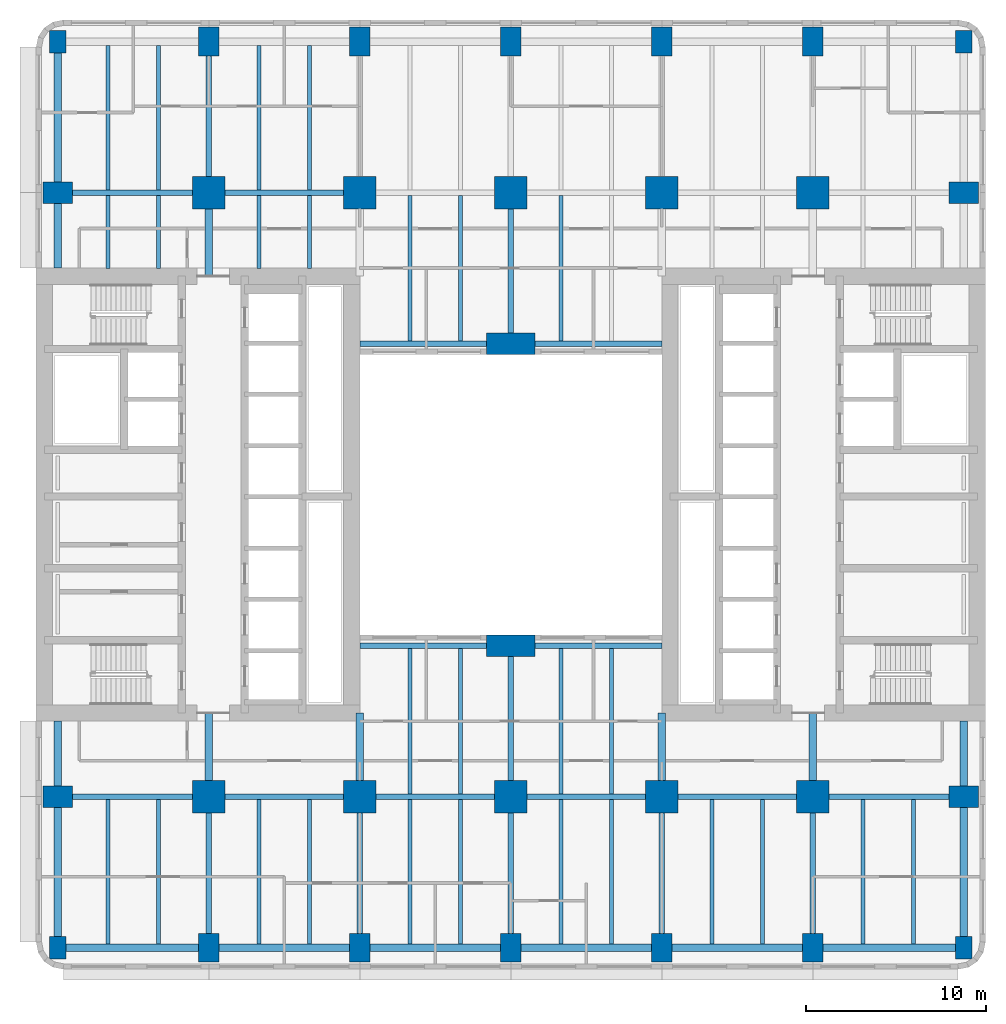
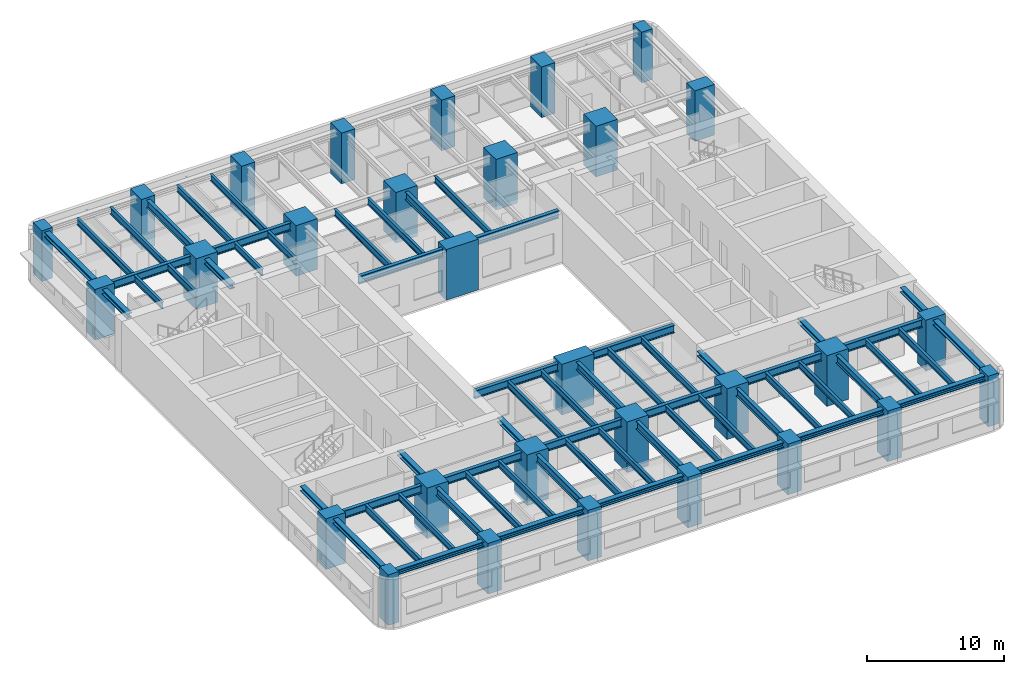
# One storey, part 1 of 13: 64 beams, 30 columns.
"""IFC4 building model written with IfcOpenShell, lengths in metres."""

from ifc_helpers import new_model, si_unit, direction, frame, origin, origin_2d, place, context, subcontext, project, spatial, rectangle, i_section, extrude, material, material_profile, profile_set, type_object, element, save


model = new_model("IFC4")

# Units and contexts
model_context = context("Model", 3, precision=1e-05, world=origin(), true_north=direction((0.0, 1.0)))
body_context = subcontext(model_context, "Body", "Model", "MODEL_VIEW")
ifc_project = project(units=[si_unit("LENGTHUNIT", "METRE"), si_unit("AREAUNIT", "SQUARE_METRE"), si_unit("VOLUMEUNIT", "CUBIC_METRE"), si_unit("PLANEANGLEUNIT", "RADIAN"), si_unit("MASSUNIT", "GRAM", prefix="KILO")], contexts=[model_context])

# Site, building, storey
site_placement = place(None, origin())
site = spatial("IfcSite", under=ifc_project, at=site_placement, CompositionType="ELEMENT")
building_placement = place(site_placement, origin())
building = spatial("IfcBuilding", under=site, at=building_placement, Name="Claustro Exchange Tower", CompositionType="ELEMENT")
storey_placement = place(building_placement, frame((0.0, 0.0, 86.39990234375)))
storey = spatial("IfcBuildingStorey", under=building, at=storey_placement, Name="L19", CompositionType="ELEMENT", Elevation=86.39990234375)

# Columns
ifc_material_1 = material(Name="Concrete HA-70 (C70/85)", Category="concrete")
ifc_material_profile_1 = material_profile(ifc_material_1, rectangle(XDim=1.800048828125, YDim=1.800048828125, at=origin_2d()), Name="RC 1800x1800")
ifc_profile_set_1 = profile_set([ifc_material_profile_1], Name="Concrete HA-70 (C70/85)")
column_type_1 = type_object("IfcColumnType", Name="C14 RC 1800x1800 HA-70 column", PredefinedType="COLUMN", material=ifc_profile_set_1)
for number, where, z_axis, x_axis, name in (
    (1, (8.39990234375, 8.39990234375, 0.0), (0.0, 0.0, 1.0), (1.0, 0.0, 0.0), "Column C14 2/B L19"),
    (2, (8.39990234375, 42.0, 0.0), (0.0, 0.0, 1.0), (1.0, 0.0, 0.0), "Column C14 2/F L19"),
    (3, (16.800048828125, 8.39990234375, 0.0), (0.0, 0.0, 1.0), (1.0, 0.0, 0.0), "Column C14 3/B L19"),
    (4, (16.800048828125, 42.0, 0.0), (0.0, 0.0, 1.0), (1.0, 0.0, 0.0), "Column C14 3/F L19"),
    (5, (25.199951171875, 8.39990234375, 0.0), (0.0, 0.0, 1.0), (1.0, 0.0, 0.0), "Column C14 4/B L19"),
    (6, (25.199951171875, 42.0, 0.0), (0.0, 0.0, 1.0), (1.0, 0.0, 0.0), "Column C14 4/F L19"),
    (7, (33.60009765625, 8.39990234375, 0.0), (0.0, 0.0, 1.0), (1.0, 0.0, 0.0), "Column C14 5/B L19"),
    (8, (33.60009765625, 42.0, 0.0), (0.0, 0.0, 1.0), (1.0, 0.0, 0.0), "Column C14 5/F L19"),
    (9, (42.0, 8.39990234375, 0.0), (0.0, 0.0, 1.0), (1.0, 0.0, 0.0), "Column C14 6/B L19"),
    (10, (42.0, 42.0, 0.0), (0.0, 0.0, 1.0), (1.0, 0.0, 0.0), "Column C14 6/F L19"),
):
    element("IfcColumn", number, at=place(storey_placement, frame(where, z_axis=z_axis, x_axis=x_axis)), inside=storey, type_object=column_type_1, Name=name, PredefinedType="COLUMN", context=body_context, shape_type="SweptSolid", body=[
        extrude(rectangle(XDim=1.800048828125, YDim=1.800048828125, at=origin_2d()), origin(), (0.0, 0.0, 1.0), 4.5),
    ])
ifc_material_2 = material(Name="Concrete HA-70 (C70/85)", Category="concrete")
ifc_material_profile_2 = material_profile(ifc_material_2, rectangle(XDim=1.199951171875, YDim=1.64990234375, at=origin_2d()), Name="RC 1200x1650")
ifc_profile_set_2 = profile_set([ifc_material_profile_2], Name="Concrete HA-70 (C70/85)")
column_type_2 = type_object("IfcColumnType", Name="C19 RC 1200x1650 HA-70 perimeter column", PredefinedType="COLUMN", material=ifc_profile_set_2)
for number, where, z_axis, x_axis, name in (
    (11, (0.0, 8.39990234375, 0.0), (0.0, 0.0, 1.0), (0.0, 1.0, 0.0), "Column C19 1/B L19"),
    (12, (0.0, 42.0, 0.0), (0.0, 0.0, 1.0), (0.0, 1.0, 0.0), "Column C19 1/F L19"),
    (13, (50.39990234375, 8.39990234375, 0.0), (0.0, 0.0, 1.0), (0.0, 1.0, 0.0), "Column C19 7/B L19"),
    (14, (50.39990234375, 42.0, 0.0), (0.0, 0.0, 1.0), (0.0, 1.0, 0.0), "Column C19 7/F L19"),
):
    element("IfcColumn", number, at=place(storey_placement, frame(where, z_axis=z_axis, x_axis=x_axis)), inside=storey, type_object=column_type_2, Name=name, PredefinedType="COLUMN", context=body_context, shape_type="SweptSolid", body=[
        extrude(rectangle(XDim=1.199951171875, YDim=1.64990234375, at=origin_2d()), origin(), (0.0, 0.0, 1.0), 4.5),
    ])
ifc_material_3 = material(Name="Concrete HA-70 (C70/85)", Category="concrete")
ifc_material_profile_3 = material_profile(ifc_material_3, rectangle(XDim=1.14990234375, YDim=1.60009765625, at=origin_2d()), Name="RC 1150x1600")
ifc_profile_set_3 = profile_set([ifc_material_profile_3], Name="Concrete HA-70 (C70/85)")
column_type_3 = type_object("IfcColumnType", Name="C20 RC 1150x1600 HA-70 perimeter column", PredefinedType="COLUMN", material=ifc_profile_set_3)
for number, where, z_axis, x_axis, name in (
    (15, (8.39990234375, 0.0, 0.0), (0.0, 0.0, 1.0), (1.0, 0.0, 0.0), "Column C20 2/A L19"),
    (16, (8.39990234375, 50.39990234375, 0.0), (0.0, 0.0, 1.0), (1.0, 0.0, 0.0), "Column C20 2/G L19"),
    (17, (16.800048828125, 0.0, 0.0), (0.0, 0.0, 1.0), (1.0, 0.0, 0.0), "Column C20 3/A L19"),
    (18, (16.800048828125, 50.39990234375, 0.0), (0.0, 0.0, 1.0), (1.0, 0.0, 0.0), "Column C20 3/G L19"),
    (19, (25.199951171875, 0.0, 0.0), (0.0, 0.0, 1.0), (1.0, 0.0, 0.0), "Column C20 4/A L19"),
    (20, (25.199951171875, 50.39990234375, 0.0), (0.0, 0.0, 1.0), (1.0, 0.0, 0.0), "Column C20 4/G L19"),
    (21, (33.60009765625, 0.0, 0.0), (0.0, 0.0, 1.0), (1.0, 0.0, 0.0), "Column C20 5/A L19"),
    (22, (33.60009765625, 50.39990234375, 0.0), (0.0, 0.0, 1.0), (1.0, 0.0, 0.0), "Column C20 5/G L19"),
    (23, (42.0, 0.0, 0.0), (0.0, 0.0, 1.0), (1.0, 0.0, 0.0), "Column C20 6/A L19"),
    (24, (42.0, 50.39990234375, 0.0), (0.0, 0.0, 1.0), (1.0, 0.0, 0.0), "Column C20 6/G L19"),
):
    element("IfcColumn", number, at=place(storey_placement, frame(where, z_axis=z_axis, x_axis=x_axis)), inside=storey, type_object=column_type_3, Name=name, PredefinedType="COLUMN", context=body_context, shape_type="SweptSolid", body=[
        extrude(rectangle(XDim=1.14990234375, YDim=1.60009765625, at=origin_2d()), origin(), (0.0, 0.0, 1.0), 4.5),
    ])
ifc_material_4 = material(Name="Concrete HA-70 (C70/85)", Category="concrete")
ifc_material_profile_4 = material_profile(ifc_material_4, rectangle(XDim=2.699951171875, YDim=1.199951171875, at=origin_2d()), Name="RC 2700x1200")
ifc_profile_set_4 = profile_set([ifc_material_profile_4], Name="Concrete HA-70 (C70/85)")
column_type_4 = type_object("IfcColumnType", Name="C30 RC 2700x1200 HA-70 light well column", PredefinedType="COLUMN", material=ifc_profile_set_4)
for number, where, z_axis, x_axis, name in (
    (25, (25.199951171875, 16.800048828125, 0.0), (0.0, 0.0, 1.0), (1.0, 0.0, 0.0), "Column C30 4/C L19"),
    (26, (25.199951171875, 33.60009765625, 0.0), (0.0, 0.0, 1.0), (1.0, 0.0, 0.0), "Column C30 4/E L19"),
):
    element("IfcColumn", number, at=place(storey_placement, frame(where, z_axis=z_axis, x_axis=x_axis)), inside=storey, type_object=column_type_4, Name=name, PredefinedType="COLUMN", context=body_context, shape_type="SweptSolid", body=[
        extrude(rectangle(XDim=2.699951171875, YDim=1.199951171875, at=origin_2d()), origin(), (0.0, 0.0, 1.0), 4.5),
    ])
ifc_material_5 = material(Name="Concrete HA-70 (C70/85)", Category="concrete")
ifc_material_profile_5 = material_profile(ifc_material_5, rectangle(XDim=0.89990234375, YDim=1.25, at=origin_2d()), Name="RC 900x1250")
ifc_profile_set_5 = profile_set([ifc_material_profile_5], Name="Concrete HA-70 (C70/85)")
column_type_5 = type_object("IfcColumnType", Name="C35 RC 900x1250 HA-70 corner column", PredefinedType="COLUMN", material=ifc_profile_set_5)
for number, where, z_axis, x_axis, name in (
    (27, (0.0, 0.0, 0.0), (0.0, 0.0, 1.0), (1.0, 0.0, 0.0), "Column C35 1/A L19"),
    (28, (0.0, 50.39990234375, 0.0), (0.0, 0.0, 1.0), (1.0, 0.0, 0.0), "Column C35 1/G L19"),
    (29, (50.39990234375, 0.0, 0.0), (0.0, 0.0, 1.0), (1.0, 0.0, 0.0), "Column C35 7/A L19"),
    (30, (50.39990234375, 50.39990234375, 0.0), (0.0, 0.0, 1.0), (1.0, 0.0, 0.0), "Column C35 7/G L19"),
):
    element("IfcColumn", number, at=place(storey_placement, frame(where, z_axis=z_axis, x_axis=x_axis)), inside=storey, type_object=column_type_5, Name=name, PredefinedType="COLUMN", context=body_context, shape_type="SweptSolid", body=[
        extrude(rectangle(XDim=0.89990234375, YDim=1.25, at=origin_2d()), origin(), (0.0, 0.0, 1.0), 4.5),
    ])

# Beams
ifc_material_6 = material(Name="Steel S355", Category="steel")
ifc_material_profile_6 = material_profile(ifc_material_6, i_section(OverallWidth=0.300048828125, OverallDepth=0.68994140625, WebThickness=0.014404296875, FlangeThickness=0.027099609375, FilletRadius=0.027099609375, at=origin_2d()), Name="HE 700 A")
ifc_profile_set_6 = profile_set([ifc_material_profile_6], Name="Steel S355")
beam_type_1 = type_object("IfcBeamType", Name="B13 HE 700 A light well edge girder", PredefinedType="BEAM", material=ifc_profile_set_6)
beam_1_placement = place(storey_placement, frame((16.800048828125, 16.800048828125, 3.955078125), z_axis=(1.0, 0.0, 0.0), x_axis=(0.0, 1.0, 0.0)))
element("IfcBeam", 31, at=beam_1_placement, inside=storey, type_object=beam_type_1, Name="Beam B13 L20", PredefinedType="BEAM", context=body_context, shape_type="SweptSolid", body=[
    extrude(i_section(OverallWidth=0.300048828125, OverallDepth=0.68994140625, WebThickness=0.014404296875, FlangeThickness=0.027099609375, FilletRadius=0.027099609375, at=origin_2d()), origin(), (0.0, 0.0, 1.0), 8.39990234375),
])
beam_2_placement = place(storey_placement, frame((25.199951171875, 16.800048828125, 3.955078125), z_axis=(1.0, 0.0, 0.0), x_axis=(0.0, 1.0, 0.0)))
element("IfcBeam", 32, at=beam_2_placement, inside=storey, type_object=beam_type_1, Name="Beam B13 L20", PredefinedType="BEAM", context=body_context, shape_type="SweptSolid", body=[
    extrude(i_section(OverallWidth=0.300048828125, OverallDepth=0.68994140625, WebThickness=0.014404296875, FlangeThickness=0.027099609375, FilletRadius=0.027099609375, at=origin_2d()), origin(), (0.0, 0.0, 1.0), 8.400146484375),
])
beam_3_placement = place(storey_placement, frame((16.800048828125, 33.60009765625, 3.955078125), z_axis=(1.0, 0.0, 0.0), x_axis=(0.0, 1.0, 0.0)))
element("IfcBeam", 33, at=beam_3_placement, inside=storey, type_object=beam_type_1, Name="Beam B13 L20", PredefinedType="BEAM", context=body_context, shape_type="SweptSolid", body=[
    extrude(i_section(OverallWidth=0.300048828125, OverallDepth=0.68994140625, WebThickness=0.014404296875, FlangeThickness=0.027099609375, FilletRadius=0.027099609375, at=origin_2d()), origin(), (0.0, 0.0, 1.0), 8.39990234375),
])
beam_4_placement = place(storey_placement, frame((25.199951171875, 33.60009765625, 3.955078125), z_axis=(1.0, 0.0, 0.0), x_axis=(0.0, 1.0, 0.0)))
element("IfcBeam", 34, at=beam_4_placement, inside=storey, type_object=beam_type_1, Name="Beam B13 L20", PredefinedType="BEAM", context=body_context, shape_type="SweptSolid", body=[
    extrude(i_section(OverallWidth=0.300048828125, OverallDepth=0.68994140625, WebThickness=0.014404296875, FlangeThickness=0.027099609375, FilletRadius=0.027099609375, at=origin_2d()), origin(), (0.0, 0.0, 1.0), 8.400146484375),
])
ifc_material_7 = material(Name="Steel S355", Category="steel")
ifc_material_profile_7 = material_profile(ifc_material_7, i_section(OverallWidth=0.300048828125, OverallDepth=0.699951171875, WebThickness=0.01708984375, FlangeThickness=0.031982421875, FilletRadius=0.027099609375, at=origin_2d()), Name="HE 700 B")
ifc_profile_set_7 = profile_set([ifc_material_profile_7], Name="Steel S355")
beam_type_2 = type_object("IfcBeamType", Name="B4 HE 700 B floor girder", PredefinedType="BEAM", material=ifc_profile_set_7)
for number, where, z_axis, x_axis, name in (
    (35, (8.39990234375, 0.0, 3.9501953125), (0.0, 1.0, 0.0), (-1.0, 0.0, 0.0), "Beam B4 L20"),
    (36, (8.39990234375, 42.0, 3.9501953125), (0.0, 1.0, 0.0), (-1.0, 0.0, 0.0), "Beam B4 L20"),
    (37, (16.800048828125, 0.0, 3.9501953125), (0.0, 1.0, 0.0), (-1.0, 0.0, 0.0), "Beam B4 L20"),
    (38, (25.199951171875, 0.0, 3.9501953125), (0.0, 1.0, 0.0), (-1.0, 0.0, 0.0), "Beam B4 L20"),
):
    element("IfcBeam", number, at=place(storey_placement, frame(where, z_axis=z_axis, x_axis=x_axis)), inside=storey, type_object=beam_type_2, Name=name, PredefinedType="BEAM", context=body_context, shape_type="SweptSolid", body=[
        extrude(i_section(OverallWidth=0.300048828125, OverallDepth=0.699951171875, WebThickness=0.01708984375, FlangeThickness=0.031982421875, FilletRadius=0.027099609375, at=origin_2d()), origin(), (0.0, 0.0, 1.0), 8.39990234375),
    ])
beam_5_placement = place(storey_placement, frame((25.199951171875, 8.39990234375, 3.9501953125), z_axis=(0.0, 1.0, 0.0), x_axis=(-1.0, 0.0, 0.0)))
element("IfcBeam", 39, at=beam_5_placement, inside=storey, type_object=beam_type_2, Name="Beam B4 L20", PredefinedType="BEAM", context=body_context, shape_type="SweptSolid", body=[
    extrude(i_section(OverallWidth=0.300048828125, OverallDepth=0.699951171875, WebThickness=0.01708984375, FlangeThickness=0.031982421875, FilletRadius=0.027099609375, at=origin_2d()), origin(), (0.0, 0.0, 1.0), 8.400146484375),
])
for number, where, z_axis, x_axis, name in (
    (40, (25.199951171875, 33.60009765625, 3.9501953125), (0.0, 1.0, 0.0), (-1.0, 0.0, 0.0), "Beam B4 L20"),
    (41, (33.60009765625, 0.0, 3.9501953125), (0.0, 1.0, 0.0), (-1.0, 0.0, 0.0), "Beam B4 L20"),
    (42, (42.0, 0.0, 3.9501953125), (0.0, 1.0, 0.0), (-1.0, 0.0, 0.0), "Beam B4 L20"),
    (43, (0.0, 8.39990234375, 3.9501953125), (1.0, 0.0, 0.0), (0.0, 1.0, 0.0), "Beam B4 L20"),
):
    element("IfcBeam", number, at=place(storey_placement, frame(where, z_axis=z_axis, x_axis=x_axis)), inside=storey, type_object=beam_type_2, Name=name, PredefinedType="BEAM", context=body_context, shape_type="SweptSolid", body=[
        extrude(i_section(OverallWidth=0.300048828125, OverallDepth=0.699951171875, WebThickness=0.01708984375, FlangeThickness=0.031982421875, FilletRadius=0.027099609375, at=origin_2d()), origin(), (0.0, 0.0, 1.0), 8.39990234375),
    ])
beam_6_placement = place(storey_placement, frame((8.39990234375, 8.39990234375, 3.9501953125), z_axis=(1.0, 0.0, 0.0), x_axis=(0.0, 1.0, 0.0)))
element("IfcBeam", 44, at=beam_6_placement, inside=storey, type_object=beam_type_2, Name="Beam B4 L20", PredefinedType="BEAM", context=body_context, shape_type="SweptSolid", body=[
    extrude(i_section(OverallWidth=0.300048828125, OverallDepth=0.699951171875, WebThickness=0.01708984375, FlangeThickness=0.031982421875, FilletRadius=0.027099609375, at=origin_2d()), origin(), (0.0, 0.0, 1.0), 8.400146484375),
])
beam_7_placement = place(storey_placement, frame((16.800048828125, 8.39990234375, 3.9501953125), z_axis=(1.0, 0.0, 0.0), x_axis=(0.0, 1.0, 0.0)))
element("IfcBeam", 45, at=beam_7_placement, inside=storey, type_object=beam_type_2, Name="Beam B4 L20", PredefinedType="BEAM", context=body_context, shape_type="SweptSolid", body=[
    extrude(i_section(OverallWidth=0.300048828125, OverallDepth=0.699951171875, WebThickness=0.01708984375, FlangeThickness=0.031982421875, FilletRadius=0.027099609375, at=origin_2d()), origin(), (0.0, 0.0, 1.0), 8.39990234375),
])
beam_8_placement = place(storey_placement, frame((25.199951171875, 8.39990234375, 3.9501953125), z_axis=(1.0, 0.0, 0.0), x_axis=(0.0, 1.0, 0.0)))
element("IfcBeam", 46, at=beam_8_placement, inside=storey, type_object=beam_type_2, Name="Beam B4 L20", PredefinedType="BEAM", context=body_context, shape_type="SweptSolid", body=[
    extrude(i_section(OverallWidth=0.300048828125, OverallDepth=0.699951171875, WebThickness=0.01708984375, FlangeThickness=0.031982421875, FilletRadius=0.027099609375, at=origin_2d()), origin(), (0.0, 0.0, 1.0), 8.400146484375),
])
for number, where, z_axis, x_axis, name in (
    (47, (33.60009765625, 8.39990234375, 3.9501953125), (1.0, 0.0, 0.0), (0.0, 1.0, 0.0), "Beam B4 L20"),
    (48, (42.0, 8.39990234375, 3.9501953125), (1.0, 0.0, 0.0), (0.0, 1.0, 0.0), "Beam B4 L20"),
    (49, (0.0, 42.0, 3.9501953125), (1.0, 0.0, 0.0), (0.0, 1.0, 0.0), "Beam B4 L20"),
):
    element("IfcBeam", number, at=place(storey_placement, frame(where, z_axis=z_axis, x_axis=x_axis)), inside=storey, type_object=beam_type_2, Name=name, PredefinedType="BEAM", context=body_context, shape_type="SweptSolid", body=[
        extrude(i_section(OverallWidth=0.300048828125, OverallDepth=0.699951171875, WebThickness=0.01708984375, FlangeThickness=0.031982421875, FilletRadius=0.027099609375, at=origin_2d()), origin(), (0.0, 0.0, 1.0), 8.39990234375),
    ])
beam_9_placement = place(storey_placement, frame((8.39990234375, 42.0, 3.9501953125), z_axis=(1.0, 0.0, 0.0), x_axis=(0.0, 1.0, 0.0)))
element("IfcBeam", 50, at=beam_9_placement, inside=storey, type_object=beam_type_2, Name="Beam B4 L20", PredefinedType="BEAM", context=body_context, shape_type="SweptSolid", body=[
    extrude(i_section(OverallWidth=0.300048828125, OverallDepth=0.699951171875, WebThickness=0.01708984375, FlangeThickness=0.031982421875, FilletRadius=0.027099609375, at=origin_2d()), origin(), (0.0, 0.0, 1.0), 8.400146484375),
])
ifc_material_8 = material(Name="Steel S355", Category="steel")
ifc_material_profile_8 = material_profile(ifc_material_8, i_section(OverallWidth=0.219970703125, OverallDepth=0.60009765625, WebThickness=0.011962890625, FlangeThickness=0.01904296875, FilletRadius=0.02392578125, at=origin_2d()), Name="IPE 600")
ifc_profile_set_8 = profile_set([ifc_material_profile_8], Name="Steel S355")
beam_type_3 = type_object("IfcBeamType", Name="B5 IPE 600 secondary beam", PredefinedType="BEAM", material=ifc_profile_set_8)
for number, where, z_axis, x_axis, name in (
    (51, (2.800048828125, 0.2080078125, 4.0), (0.0, 1.0, 0.0), (-1.0, 0.0, 0.0), "Beam B5 L20"),
    (52, (5.60009765625, 0.2080078125, 4.0), (0.0, 1.0, 0.0), (-1.0, 0.0, 0.0), "Beam B5 L20"),
):
    element("IfcBeam", number, at=place(storey_placement, frame(where, z_axis=z_axis, x_axis=x_axis)), inside=storey, type_object=beam_type_3, Name=name, PredefinedType="BEAM", context=body_context, shape_type="SweptSolid", body=[
        extrude(i_section(OverallWidth=0.219970703125, OverallDepth=0.60009765625, WebThickness=0.011962890625, FlangeThickness=0.01904296875, FilletRadius=0.02392578125, at=origin_2d()), origin(), (0.0, 0.0, 1.0), 8.0419921875),
    ])
for number, where, z_axis, x_axis, name in (
    (53, (2.800048828125, 37.7900390625, 4.0), (0.0, 1.0, 0.0), (-1.0, 0.0, 0.0), "Beam B5 L20"),
    (54, (5.60009765625, 37.7900390625, 4.0), (0.0, 1.0, 0.0), (-1.0, 0.0, 0.0), "Beam B5 L20"),
):
    element("IfcBeam", number, at=place(storey_placement, frame(where, z_axis=z_axis, x_axis=x_axis)), inside=storey, type_object=beam_type_3, Name=name, PredefinedType="BEAM", context=body_context, shape_type="SweptSolid", body=[
        extrude(i_section(OverallWidth=0.219970703125, OverallDepth=0.60009765625, WebThickness=0.011962890625, FlangeThickness=0.01904296875, FilletRadius=0.02392578125, at=origin_2d()), origin(), (0.0, 0.0, 1.0), 4.06005859375),
    ])
for number, where, z_axis, x_axis, name in (
    (55, (2.800048828125, 42.14990234375, 4.0), (0.0, 1.0, 0.0), (-1.0, 0.0, 0.0), "Beam B5 L20"),
    (56, (5.60009765625, 42.14990234375, 4.0), (0.0, 1.0, 0.0), (-1.0, 0.0, 0.0), "Beam B5 L20"),
    (57, (11.199951171875, 0.2080078125, 4.0), (0.0, 1.0, 0.0), (-1.0, 0.0, 0.0), "Beam B5 L20"),
    (58, (14.0, 0.2080078125, 4.0), (0.0, 1.0, 0.0), (-1.0, 0.0, 0.0), "Beam B5 L20"),
):
    element("IfcBeam", number, at=place(storey_placement, frame(where, z_axis=z_axis, x_axis=x_axis)), inside=storey, type_object=beam_type_3, Name=name, PredefinedType="BEAM", context=body_context, shape_type="SweptSolid", body=[
        extrude(i_section(OverallWidth=0.219970703125, OverallDepth=0.60009765625, WebThickness=0.011962890625, FlangeThickness=0.01904296875, FilletRadius=0.02392578125, at=origin_2d()), origin(), (0.0, 0.0, 1.0), 8.0419921875),
    ])
for number, where, z_axis, x_axis, name in (
    (59, (11.199951171875, 37.7900390625, 4.0), (0.0, 1.0, 0.0), (-1.0, 0.0, 0.0), "Beam B5 L20"),
    (60, (14.0, 37.7900390625, 4.0), (0.0, 1.0, 0.0), (-1.0, 0.0, 0.0), "Beam B5 L20"),
):
    element("IfcBeam", number, at=place(storey_placement, frame(where, z_axis=z_axis, x_axis=x_axis)), inside=storey, type_object=beam_type_3, Name=name, PredefinedType="BEAM", context=body_context, shape_type="SweptSolid", body=[
        extrude(i_section(OverallWidth=0.219970703125, OverallDepth=0.60009765625, WebThickness=0.011962890625, FlangeThickness=0.01904296875, FilletRadius=0.02392578125, at=origin_2d()), origin(), (0.0, 0.0, 1.0), 4.06005859375),
    ])
for number, where, z_axis, x_axis, name in (
    (61, (11.199951171875, 42.14990234375, 4.0), (0.0, 1.0, 0.0), (-1.0, 0.0, 0.0), "Beam B5 L20"),
    (62, (14.0, 42.14990234375, 4.0), (0.0, 1.0, 0.0), (-1.0, 0.0, 0.0), "Beam B5 L20"),
    (63, (19.60009765625, 0.2080078125, 4.0), (0.0, 1.0, 0.0), (-1.0, 0.0, 0.0), "Beam B5 L20"),
    (64, (22.39990234375, 0.2080078125, 4.0), (0.0, 1.0, 0.0), (-1.0, 0.0, 0.0), "Beam B5 L20"),
):
    element("IfcBeam", number, at=place(storey_placement, frame(where, z_axis=z_axis, x_axis=x_axis)), inside=storey, type_object=beam_type_3, Name=name, PredefinedType="BEAM", context=body_context, shape_type="SweptSolid", body=[
        extrude(i_section(OverallWidth=0.219970703125, OverallDepth=0.60009765625, WebThickness=0.011962890625, FlangeThickness=0.01904296875, FilletRadius=0.02392578125, at=origin_2d()), origin(), (0.0, 0.0, 1.0), 8.0419921875),
    ])
for number, where, z_axis, x_axis, name in (
    (65, (19.60009765625, 8.550048828125, 4.0), (0.0, 1.0, 0.0), (-1.0, 0.0, 0.0), "Beam B5 L20"),
    (66, (22.39990234375, 8.550048828125, 4.0), (0.0, 1.0, 0.0), (-1.0, 0.0, 0.0), "Beam B5 L20"),
):
    element("IfcBeam", number, at=place(storey_placement, frame(where, z_axis=z_axis, x_axis=x_axis)), inside=storey, type_object=beam_type_3, Name=name, PredefinedType="BEAM", context=body_context, shape_type="SweptSolid", body=[
        extrude(i_section(OverallWidth=0.219970703125, OverallDepth=0.60009765625, WebThickness=0.011962890625, FlangeThickness=0.01904296875, FilletRadius=0.02392578125, at=origin_2d()), origin(), (0.0, 0.0, 1.0), 8.099853515625),
    ])
for number, where, z_axis, x_axis, name in (
    (67, (19.60009765625, 33.75, 4.0), (0.0, 1.0, 0.0), (-1.0, 0.0, 0.0), "Beam B5 L20"),
    (68, (22.39990234375, 33.75, 4.0), (0.0, 1.0, 0.0), (-1.0, 0.0, 0.0), "Beam B5 L20"),
):
    element("IfcBeam", number, at=place(storey_placement, frame(where, z_axis=z_axis, x_axis=x_axis)), inside=storey, type_object=beam_type_3, Name=name, PredefinedType="BEAM", context=body_context, shape_type="SweptSolid", body=[
        extrude(i_section(OverallWidth=0.219970703125, OverallDepth=0.60009765625, WebThickness=0.011962890625, FlangeThickness=0.01904296875, FilletRadius=0.02392578125, at=origin_2d()), origin(), (0.0, 0.0, 1.0), 8.10009765625),
    ])
for number, where, z_axis, x_axis, name in (
    (69, (28.0, 0.2080078125, 4.0), (0.0, 1.0, 0.0), (-1.0, 0.0, 0.0), "Beam B5 L20"),
    (70, (30.800048828125, 0.2080078125, 4.0), (0.0, 1.0, 0.0), (-1.0, 0.0, 0.0), "Beam B5 L20"),
):
    element("IfcBeam", number, at=place(storey_placement, frame(where, z_axis=z_axis, x_axis=x_axis)), inside=storey, type_object=beam_type_3, Name=name, PredefinedType="BEAM", context=body_context, shape_type="SweptSolid", body=[
        extrude(i_section(OverallWidth=0.219970703125, OverallDepth=0.60009765625, WebThickness=0.011962890625, FlangeThickness=0.01904296875, FilletRadius=0.02392578125, at=origin_2d()), origin(), (0.0, 0.0, 1.0), 8.0419921875),
    ])
for number, where, z_axis, x_axis, name in (
    (71, (28.0, 8.550048828125, 4.0), (0.0, 1.0, 0.0), (-1.0, 0.0, 0.0), "Beam B5 L20"),
    (72, (30.800048828125, 8.550048828125, 4.0), (0.0, 1.0, 0.0), (-1.0, 0.0, 0.0), "Beam B5 L20"),
):
    element("IfcBeam", number, at=place(storey_placement, frame(where, z_axis=z_axis, x_axis=x_axis)), inside=storey, type_object=beam_type_3, Name=name, PredefinedType="BEAM", context=body_context, shape_type="SweptSolid", body=[
        extrude(i_section(OverallWidth=0.219970703125, OverallDepth=0.60009765625, WebThickness=0.011962890625, FlangeThickness=0.01904296875, FilletRadius=0.02392578125, at=origin_2d()), origin(), (0.0, 0.0, 1.0), 8.099853515625),
    ])
beam_10_placement = place(storey_placement, frame((28.0, 33.75, 4.0), z_axis=(0.0, 1.0, 0.0), x_axis=(-1.0, 0.0, 0.0)))
element("IfcBeam", 73, at=beam_10_placement, inside=storey, type_object=beam_type_3, Name="Beam B5 L20", PredefinedType="BEAM", context=body_context, shape_type="SweptSolid", body=[
    extrude(i_section(OverallWidth=0.219970703125, OverallDepth=0.60009765625, WebThickness=0.011962890625, FlangeThickness=0.01904296875, FilletRadius=0.02392578125, at=origin_2d()), origin(), (0.0, 0.0, 1.0), 8.10009765625),
])
for number, where, z_axis, x_axis, name in (
    (74, (36.39990234375, 0.2080078125, 4.0), (0.0, 1.0, 0.0), (-1.0, 0.0, 0.0), "Beam B5 L20"),
    (75, (39.199951171875, 0.2080078125, 4.0), (0.0, 1.0, 0.0), (-1.0, 0.0, 0.0), "Beam B5 L20"),
    (76, (44.800048828125, 0.2080078125, 4.0), (0.0, 1.0, 0.0), (-1.0, 0.0, 0.0), "Beam B5 L20"),
    (77, (47.60009765625, 0.2080078125, 4.0), (0.0, 1.0, 0.0), (-1.0, 0.0, 0.0), "Beam B5 L20"),
):
    element("IfcBeam", number, at=place(storey_placement, frame(where, z_axis=z_axis, x_axis=x_axis)), inside=storey, type_object=beam_type_3, Name=name, PredefinedType="BEAM", context=body_context, shape_type="SweptSolid", body=[
        extrude(i_section(OverallWidth=0.219970703125, OverallDepth=0.60009765625, WebThickness=0.011962890625, FlangeThickness=0.01904296875, FilletRadius=0.02392578125, at=origin_2d()), origin(), (0.0, 0.0, 1.0), 8.0419921875),
    ])
ifc_material_9 = material(Name="Steel S460", Category="steel")
ifc_material_profile_9 = material_profile(ifc_material_9, i_section(OverallWidth=0.416015625, OverallDepth=0.446044921875, WebThickness=0.0390625, FlangeThickness=0.062744140625, FilletRadius=0.014892578125, at=origin_2d()), Name="HD 400x509")
ifc_profile_set_9 = profile_set([ifc_material_profile_9], Name="Steel S460")
beam_type_4 = type_object("IfcBeamType", Name="BT1 HD 400x509 belt truss chord", PredefinedType="BEAM", material=ifc_profile_set_9)
beam_11_placement = place(storey_placement, frame((0.0, 0.0, 4.0771484375), z_axis=(0.0, 1.0, 0.0), x_axis=(-1.0, 0.0, 0.0)))
element("IfcBeam", 78, at=beam_11_placement, inside=storey, type_object=beam_type_4, Name="Beam BT1 L20", PredefinedType="BEAM", context=body_context, shape_type="SweptSolid", body=[
    extrude(i_section(OverallWidth=0.416015625, OverallDepth=0.446044921875, WebThickness=0.0390625, FlangeThickness=0.062744140625, FilletRadius=0.014892578125, at=origin_2d()), origin(), (0.0, 0.0, 1.0), 8.39990234375),
])
beam_12_placement = place(storey_placement, frame((0.0, 8.39990234375, 4.0771484375), z_axis=(0.0, 1.0, 0.0), x_axis=(-1.0, 0.0, 0.0)))
element("IfcBeam", 79, at=beam_12_placement, inside=storey, type_object=beam_type_4, Name="Beam BT1 L20", PredefinedType="BEAM", context=body_context, shape_type="SweptSolid", body=[
    extrude(i_section(OverallWidth=0.416015625, OverallDepth=0.446044921875, WebThickness=0.0390625, FlangeThickness=0.062744140625, FilletRadius=0.014892578125, at=origin_2d()), origin(), (0.0, 0.0, 1.0), 4.2001953125),
])
beam_13_placement = place(storey_placement, frame((0.0, 37.800048828125, 4.0771484375), z_axis=(0.0, 1.0, 0.0), x_axis=(-1.0, 0.0, 0.0)))
element("IfcBeam", 80, at=beam_13_placement, inside=storey, type_object=beam_type_4, Name="Beam BT1 L20", PredefinedType="BEAM", context=body_context, shape_type="SweptSolid", body=[
    extrude(i_section(OverallWidth=0.416015625, OverallDepth=0.446044921875, WebThickness=0.0390625, FlangeThickness=0.062744140625, FilletRadius=0.014892578125, at=origin_2d()), origin(), (0.0, 0.0, 1.0), 4.199951171875),
])
for number, where, z_axis, x_axis, name in (
    (81, (0.0, 42.0, 4.0771484375), (0.0, 1.0, 0.0), (-1.0, 0.0, 0.0), "Beam BT1 L20"),
    (82, (50.39990234375, 0.0, 4.0771484375), (0.0, 1.0, 0.0), (-1.0, 0.0, 0.0), "Beam BT1 L20"),
):
    element("IfcBeam", number, at=place(storey_placement, frame(where, z_axis=z_axis, x_axis=x_axis)), inside=storey, type_object=beam_type_4, Name=name, PredefinedType="BEAM", context=body_context, shape_type="SweptSolid", body=[
        extrude(i_section(OverallWidth=0.416015625, OverallDepth=0.446044921875, WebThickness=0.0390625, FlangeThickness=0.062744140625, FilletRadius=0.014892578125, at=origin_2d()), origin(), (0.0, 0.0, 1.0), 8.39990234375),
    ])
beam_14_placement = place(storey_placement, frame((50.39990234375, 8.39990234375, 4.0771484375), z_axis=(0.0, 1.0, 0.0), x_axis=(-1.0, 0.0, 0.0)))
element("IfcBeam", 83, at=beam_14_placement, inside=storey, type_object=beam_type_4, Name="Beam BT1 L20", PredefinedType="BEAM", context=body_context, shape_type="SweptSolid", body=[
    extrude(i_section(OverallWidth=0.416015625, OverallDepth=0.446044921875, WebThickness=0.0390625, FlangeThickness=0.062744140625, FilletRadius=0.014892578125, at=origin_2d()), origin(), (0.0, 0.0, 1.0), 4.2001953125),
])
beam_15_placement = place(storey_placement, frame((0.0, 0.0, 4.0771484375), z_axis=(1.0, 0.0, 0.0), x_axis=(0.0, 1.0, 0.0)))
element("IfcBeam", 84, at=beam_15_placement, inside=storey, type_object=beam_type_4, Name="Beam BT1 L20", PredefinedType="BEAM", context=body_context, shape_type="SweptSolid", body=[
    extrude(i_section(OverallWidth=0.416015625, OverallDepth=0.446044921875, WebThickness=0.0390625, FlangeThickness=0.062744140625, FilletRadius=0.014892578125, at=origin_2d()), origin(), (0.0, 0.0, 1.0), 8.39990234375),
])
beam_16_placement = place(storey_placement, frame((8.39990234375, 0.0, 4.0771484375), z_axis=(1.0, 0.0, 0.0), x_axis=(0.0, 1.0, 0.0)))
element("IfcBeam", 85, at=beam_16_placement, inside=storey, type_object=beam_type_4, Name="Beam BT1 L20", PredefinedType="BEAM", context=body_context, shape_type="SweptSolid", body=[
    extrude(i_section(OverallWidth=0.416015625, OverallDepth=0.446044921875, WebThickness=0.0390625, FlangeThickness=0.062744140625, FilletRadius=0.014892578125, at=origin_2d()), origin(), (0.0, 0.0, 1.0), 8.400146484375),
])
beam_17_placement = place(storey_placement, frame((16.800048828125, 0.0, 4.0771484375), z_axis=(1.0, 0.0, 0.0), x_axis=(0.0, 1.0, 0.0)))
element("IfcBeam", 86, at=beam_17_placement, inside=storey, type_object=beam_type_4, Name="Beam BT1 L20", PredefinedType="BEAM", context=body_context, shape_type="SweptSolid", body=[
    extrude(i_section(OverallWidth=0.416015625, OverallDepth=0.446044921875, WebThickness=0.0390625, FlangeThickness=0.062744140625, FilletRadius=0.014892578125, at=origin_2d()), origin(), (0.0, 0.0, 1.0), 8.39990234375),
])
beam_18_placement = place(storey_placement, frame((25.199951171875, 0.0, 4.0771484375), z_axis=(1.0, 0.0, 0.0), x_axis=(0.0, 1.0, 0.0)))
element("IfcBeam", 87, at=beam_18_placement, inside=storey, type_object=beam_type_4, Name="Beam BT1 L20", PredefinedType="BEAM", context=body_context, shape_type="SweptSolid", body=[
    extrude(i_section(OverallWidth=0.416015625, OverallDepth=0.446044921875, WebThickness=0.0390625, FlangeThickness=0.062744140625, FilletRadius=0.014892578125, at=origin_2d()), origin(), (0.0, 0.0, 1.0), 8.400146484375),
])
for number, where, z_axis, x_axis, name in (
    (88, (33.60009765625, 0.0, 4.0771484375), (1.0, 0.0, 0.0), (0.0, 1.0, 0.0), "Beam BT1 L20"),
    (89, (42.0, 0.0, 4.0771484375), (1.0, 0.0, 0.0), (0.0, 1.0, 0.0), "Beam BT1 L20"),
):
    element("IfcBeam", number, at=place(storey_placement, frame(where, z_axis=z_axis, x_axis=x_axis)), inside=storey, type_object=beam_type_4, Name=name, PredefinedType="BEAM", context=body_context, shape_type="SweptSolid", body=[
        extrude(i_section(OverallWidth=0.416015625, OverallDepth=0.446044921875, WebThickness=0.0390625, FlangeThickness=0.062744140625, FilletRadius=0.014892578125, at=origin_2d()), origin(), (0.0, 0.0, 1.0), 8.39990234375),
    ])
ifc_material_10 = material(Name="Steel S460", Category="steel")
ifc_material_profile_10 = material_profile(ifc_material_10, i_section(OverallWidth=0.416015625, OverallDepth=0.446044921875, WebThickness=0.0390625, FlangeThickness=0.062744140625, FilletRadius=0.014892578125, at=origin_2d()), Name="HD 400x509")
ifc_profile_set_10 = profile_set([ifc_material_profile_10], Name="Steel S460")
beam_type_5 = type_object("IfcBeamType", Name="OT1 HD 400x509 OUTRIGGER truss chord", PredefinedType="BEAM", material=ifc_profile_set_10)
beam_19_placement = place(storey_placement, frame((8.39990234375, 8.39990234375, 4.027099609375), z_axis=(0.0, 1.0, 0.0), x_axis=(-1.0, 0.0, 0.0)))
element("IfcBeam", 90, at=beam_19_placement, inside=storey, type_object=beam_type_5, Name="Beam OT1 L20", PredefinedType="BEAM", context=body_context, shape_type="SweptSolid", body=[
    extrude(i_section(OverallWidth=0.416015625, OverallDepth=0.446044921875, WebThickness=0.0390625, FlangeThickness=0.062744140625, FilletRadius=0.014892578125, at=origin_2d()), origin(), (0.0, 0.0, 1.0), 4.650146484375),
])
beam_20_placement = place(storey_placement, frame((8.39990234375, 37.35009765625, 4.027099609375), z_axis=(0.0, 1.0, 0.0), x_axis=(-1.0, 0.0, 0.0)))
element("IfcBeam", 91, at=beam_20_placement, inside=storey, type_object=beam_type_5, Name="Beam OT1 L20", PredefinedType="BEAM", context=body_context, shape_type="SweptSolid", body=[
    extrude(i_section(OverallWidth=0.416015625, OverallDepth=0.446044921875, WebThickness=0.0390625, FlangeThickness=0.062744140625, FilletRadius=0.014892578125, at=origin_2d()), origin(), (0.0, 0.0, 1.0), 4.64990234375),
])
for number, where, z_axis, x_axis, name in (
    (92, (16.800048828125, 8.39990234375, 4.027099609375), (0.0, 1.0, 0.0), (-1.0, 0.0, 0.0), "Beam OT1 L20"),
    (93, (33.60009765625, 8.39990234375, 4.027099609375), (0.0, 1.0, 0.0), (-1.0, 0.0, 0.0), "Beam OT1 L20"),
    (94, (42.0, 8.39990234375, 4.027099609375), (0.0, 1.0, 0.0), (-1.0, 0.0, 0.0), "Beam OT1 L20"),
):
    element("IfcBeam", number, at=place(storey_placement, frame(where, z_axis=z_axis, x_axis=x_axis)), inside=storey, type_object=beam_type_5, Name=name, PredefinedType="BEAM", context=body_context, shape_type="SweptSolid", body=[
        extrude(i_section(OverallWidth=0.416015625, OverallDepth=0.446044921875, WebThickness=0.0390625, FlangeThickness=0.062744140625, FilletRadius=0.014892578125, at=origin_2d()), origin(), (0.0, 0.0, 1.0), 4.650146484375),
    ])

save(model, "model.ifc")
